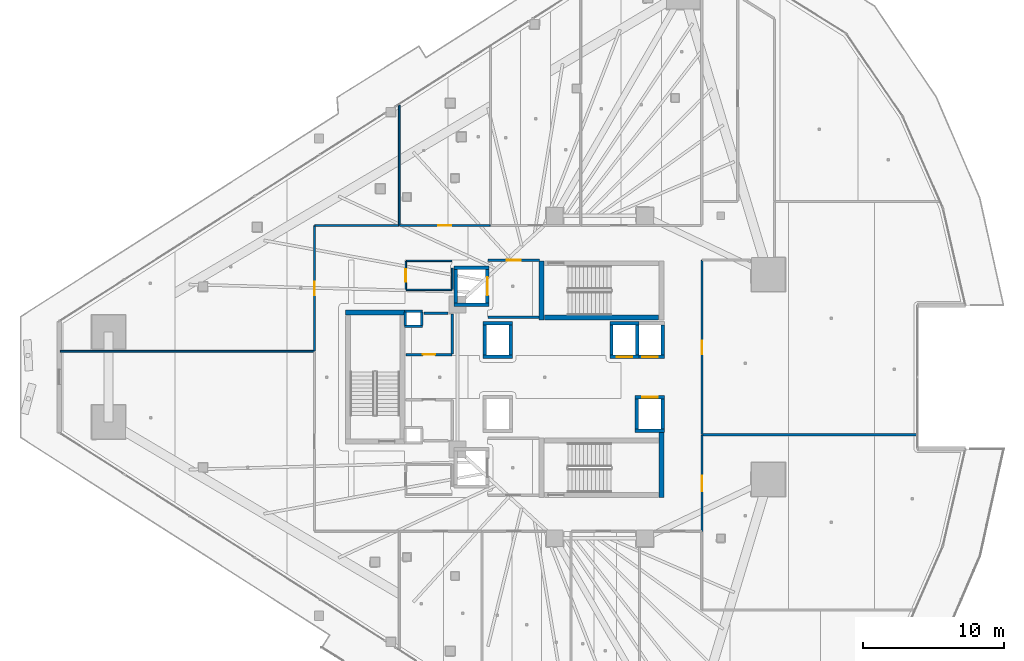
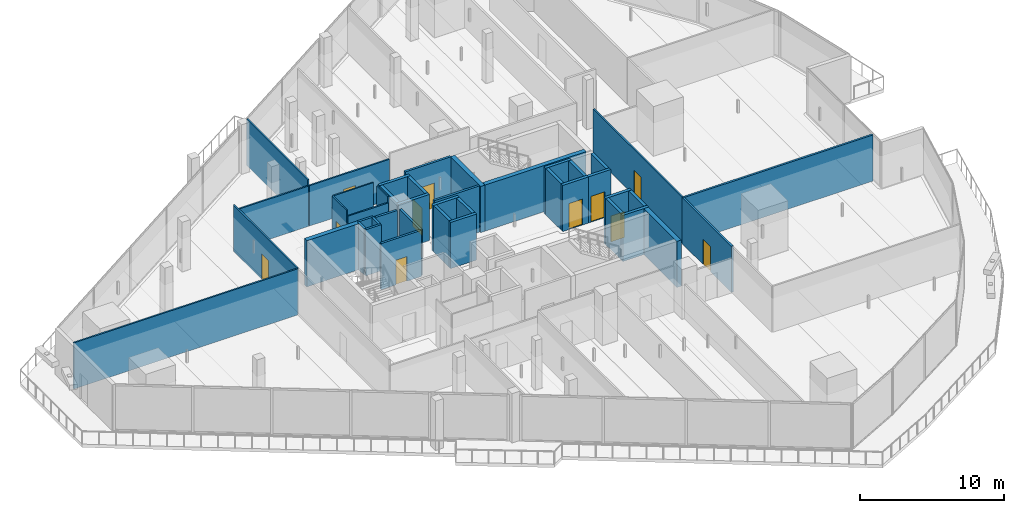
# One storey, part 30 of 45: 43 walls, 11 doors, 11 openings.
"""IFC4 building model written with IfcOpenShell, lengths in metres."""

import ifcopenshell
import ifcopenshell.guid

model = None  # the IFC model being written
_history = None  # IfcOwnerHistory: only IFC2X3 demands one
_inside = {}  # id of a spatial element -> (the spatial element, [elements in it])
_under = {}  # id of a project, library or spatial element -> (it, [spatial elements below it])
_declared = {}  # id of a project -> (the project, [libraries it declares])
_typed = {}  # id of a type object -> (the type object, [elements of that type])
_made_of = {}  # id of a material, layer set ... -> (it, [elements and type objects made of it])


def new_model(schema):
    """Start an empty IFC model of exactly this schema.

    Asked for "IFC4X3", IfcOpenShell would pick the latest addendum, in which some entities
    have other attributes; the version numbers below select the first issue.
    IFC2X3 requires an IfcOwnerHistory on every rooted entity: one is made here for all.
    """
    global model, _history
    if schema == "IFC4X3":
        model = ifcopenshell.file(schema_version=(4, 3, 0, 0))
    else:
        model = ifcopenshell.file(schema=schema)
    _inside.clear()
    _under.clear()
    _declared.clear()
    _typed.clear()
    _made_of.clear()
    _history = None
    if model.schema == "IFC2X3":
        org = make("IfcOrganization", Name="unknown")
        user = make(
            "IfcPersonAndOrganization",
            ThePerson=make("IfcPerson", FamilyName="unknown"),
            TheOrganization=org,
        )
        app = make(
            "IfcApplication",
            ApplicationDeveloper=org,
            Version="unknown",
            ApplicationFullName="unknown",
            ApplicationIdentifier="unknown",
        )
        _history = make(
            "IfcOwnerHistory",
            OwningUser=user,
            OwningApplication=app,
            ChangeAction="ADDED",
            CreationDate=0,
        )
    return model


def make(cls, **values):
    """One entity of the class cls with the attributes given. An attribute that is None is left unset."""
    return model.create_entity(
        cls, **{name: value for name, value in values.items() if value is not None}
    )


def rooted(cls, **values):
    """An entity with a GlobalId (a new one), such as an element, a storey or a relation."""
    return make(cls, GlobalId=ifcopenshell.guid.new(), OwnerHistory=_history, **values)


def si_unit(unit_type, name, prefix=None):
    """IfcSIUnit, for example si_unit("LENGTHUNIT", "METRE", prefix="MILLI")."""
    return make("IfcSIUnit", UnitType=unit_type, Prefix=prefix, Name=name)


def assignment(units):
    """IfcUnitAssignment: the units of a project."""
    return None if units is None else make("IfcUnitAssignment", Units=units)


def point(xyz):
    """IfcCartesianPoint."""
    return None if xyz is None else make("IfcCartesianPoint", Coordinates=xyz)


def direction(xyz):
    """IfcDirection."""
    return None if xyz is None else make("IfcDirection", DirectionRatios=xyz)


def frame(location, z_axis=None, x_axis=None):
    """IfcAxis2Placement3D, a coordinate frame: its origin and axes. An axis left out is left unset."""
    return make(
        "IfcAxis2Placement3D",
        Location=point(location),
        Axis=direction(z_axis),
        RefDirection=direction(x_axis),
    )


def frame_2d(location, x_axis=None):
    """IfcAxis2Placement2D, a coordinate frame in the plane: its origin and x axis."""
    return make(
        "IfcAxis2Placement2D", Location=point(location), RefDirection=direction(x_axis)
    )


def origin():
    """The frame at (0, 0, 0) with its axes left unset."""
    return frame((0.0, 0.0, 0.0))


def place(relative_to, where):
    """IfcLocalPlacement: puts the frame where relative to a parent placement (None: the world)."""
    return make(
        "IfcLocalPlacement", PlacementRelTo=relative_to, RelativePlacement=where
    )


def context(
    kind, dimensions, precision=None, world=None, true_north=None, identifier=None
):
    """IfcGeometricRepresentationContext, for example the 3D "Model" context."""
    return make(
        "IfcGeometricRepresentationContext",
        ContextIdentifier=identifier,
        ContextType=kind,
        CoordinateSpaceDimension=dimensions,
        Precision=precision,
        WorldCoordinateSystem=world,
        TrueNorth=true_north,
    )


def subcontext(parent, identifier, kind, view, scale=None):
    """IfcGeometricRepresentationSubContext, for example "Body" below "Model"."""
    return make(
        "IfcGeometricRepresentationSubContext",
        ContextIdentifier=identifier,
        ContextType=kind,
        ParentContext=parent,
        TargetScale=scale,
        TargetView=view,
    )


def project(units=None, contexts=None):
    """IfcProject with its units and contexts."""
    return rooted(
        "IfcProject",
        Name="project",
        RepresentationContexts=contexts,
        UnitsInContext=assignment(units),
    )


def spatial(cls, under=None, at=None, **own):
    """A site, building, storey or space (cls), placed at a placement, below another one or the project."""
    s = rooted(cls, ObjectPlacement=at, **own)
    if under is not None:
        _under.setdefault(under.id(), (under, []))[1].append(s)
    return s


def profile(cls, at=None, kind="AREA", **sizes):
    """A parametric profile (cls). Its sizes go by their IFC names, for example OverallWidth=200.0."""
    return make(cls, ProfileType=kind, Position=at, **sizes)


def rectangle(**sizes):
    """IfcRectangleProfileDef."""
    return profile("IfcRectangleProfileDef", **sizes)


def extrude(swept, where, along, depth):
    """IfcExtrudedAreaSolid: the profile swept, set in the frame where, extruded along a direction by depth."""
    return make(
        "IfcExtrudedAreaSolid",
        SweptArea=swept,
        Position=where,
        ExtrudedDirection=direction(along),
        Depth=depth,
    )


def shape(context_of_items, identifier, shape_type, items):
    """IfcShapeRepresentation: the items that make up one representation, for example the "Body"."""
    return make(
        "IfcShapeRepresentation",
        ContextOfItems=context_of_items,
        RepresentationIdentifier=identifier,
        RepresentationType=shape_type,
        Items=items,
    )


def material(Name=None, Category=None):
    """IfcMaterial."""
    return make("IfcMaterial", Name=Name, Category=Category)


def layer(
    of_material, thickness, ventilated=None, Name=None, Category=None, Priority=None
):
    """IfcMaterialLayer: one layer of a wall or slab, of a material (None: an air gap)."""
    return make(
        "IfcMaterialLayer",
        Material=of_material,
        LayerThickness=thickness,
        IsVentilated=ventilated,
        Name=Name,
        Category=Category,
        Priority=Priority,
    )


def layer_set(layers, Name=None):
    """IfcMaterialLayerSet."""
    return make("IfcMaterialLayerSet", MaterialLayers=layers, LayerSetName=Name)


def made_of(thing, what):
    """Note that an element or type object is made of a material, layer set ...; save() writes the relation."""
    if what is not None:
        _made_of.setdefault(what.id(), (what, []))[1].append(thing)
    return thing


def type_object(cls, material=None, **own):
    """A type object (cls), such as IfcWallType, which elements share."""
    return made_of(rooted(cls, **own), material)


def element(
    cls,
    number,
    at=None,
    inside=None,
    cuts=None,
    type_object=None,
    material=None,
    context=None,
    identifier="Body",
    shape_type=None,
    held_by="IfcProductDefinitionShape",
    body=None,
    shapes=None,
    **own,
):
    """One element of the class cls, such as IfcWall. Its Tag is "e" and its number.

    at: its placement. inside: the storey or other place that contains it. cuts: it is an
    opening in that element (IfcRelVoidsElement). A single representation is given by context,
    identifier, shape_type and body (its items); several are given by shapes. held_by: the class
    of the entity that holds the representations. save() writes the other relations.
    """
    e = rooted(cls, Tag="e%d" % number, ObjectPlacement=at, **own)
    if body is not None:
        shapes = [shape(context, identifier, shape_type, body)]
    if shapes is not None:
        e.Representation = make(held_by, Representations=shapes)
    if inside is not None:
        _inside.setdefault(inside.id(), (inside, []))[1].append(e)
    if cuts is not None:
        rooted(
            "IfcRelVoidsElement", RelatingBuildingElement=cuts, RelatedOpeningElement=e
        )
    if type_object is not None:
        _typed.setdefault(type_object.id(), (type_object, []))[1].append(e)
    return made_of(e, material)


def fill(opening, filler):
    """IfcRelFillsElement: the door or window that sits in an opening."""
    return rooted(
        "IfcRelFillsElement",
        RelatingOpeningElement=opening,
        RelatedBuildingElement=filler,
    )


def aggregate(whole, parts):
    """IfcRelAggregates: a whole, such as a stair, and the parts it consists of."""
    return rooted("IfcRelAggregates", RelatingObject=whole, RelatedObjects=parts)


def save(model, path):
    """Write the relations noted so far, then the file.

    IfcRelAggregates (storeys below a building ...), IfcRelContainedInSpatialStructure (elements
    in a storey), IfcRelDefinesByType, IfcRelAssociatesMaterial and IfcRelDeclares: one each for
    every whole, place, type object, material and project.
    """
    for whole, parts in _under.values():
        aggregate(whole, parts)
    for where, things in _inside.values():
        rooted(
            "IfcRelContainedInSpatialStructure",
            RelatedElements=things,
            RelatingStructure=where,
        )
    for kind, things in _typed.values():
        rooted("IfcRelDefinesByType", RelatedObjects=things, RelatingType=kind)
    for what, things in _made_of.values():
        rooted("IfcRelAssociatesMaterial", RelatedObjects=things, RelatingMaterial=what)
    for by, libraries in _declared.values():
        rooted("IfcRelDeclares", RelatingContext=by, RelatedDefinitions=libraries)
    model.write(path)


model = new_model("IFC4")

# Units and contexts
model_context = context("Model", 3, precision=1e-05, world=origin(), true_north=direction((0.0, 1.0)))
body_context = subcontext(model_context, "Body", "Model", "MODEL_VIEW")
ifc_project = project(units=[si_unit("LENGTHUNIT", "METRE"), si_unit("AREAUNIT", "SQUARE_METRE"), si_unit("VOLUMEUNIT", "CUBIC_METRE"), si_unit("PLANEANGLEUNIT", "RADIAN"), si_unit("MASSUNIT", "GRAM", prefix="KILO")], contexts=[model_context])

# Site, building, storey
site_placement = place(None, origin())
site = spatial("IfcSite", under=ifc_project, at=site_placement, CompositionType="ELEMENT")
building_placement = place(site_placement, origin())
building = spatial("IfcBuilding", under=site, at=building_placement, Name="Qorvath Tower", CompositionType="ELEMENT")
storey_placement = place(building_placement, frame((0.0, 0.0, 91.199951171875)))
storey = spatial("IfcBuildingStorey", under=building, at=storey_placement, Name="L20", CompositionType="ELEMENT", Elevation=91.199951171875)

# Walls
ifc_material_1 = material(Name="Gypsum shaftliner on steel studs", Category="steel")
ifc_layer_1 = layer(ifc_material_1, 0.179931640625)
ifc_layer_set_1 = layer_set([ifc_layer_1], Name="FW-LOBBY")
wall_type_1 = type_object("IfcWallType", Name="FW-LOBBY", PredefinedType="PARTITIONING", material=ifc_layer_set_1)
for number, where, z_axis, x_axis, name in (
    (1, (-32.989990234375, 3.594970703125, 0.0), (0.0, 0.0, 1.0), (-1.0, 0.0, 0.0), "MEP Riser Shaft Enclosure Wall N-L20-S"),
    (2, (-34.260009765625, 4.675048828125, 0.0), (0.0, 0.0, 1.0), (1.0, 0.0, 0.0), "MEP Riser Shaft Enclosure Wall N-L20-N"),
):
    element("IfcWall", number, at=place(storey_placement, frame(where, z_axis=z_axis, x_axis=x_axis)), inside=storey, type_object=wall_type_1, Name=name, PredefinedType="PARTITIONING", context=body_context, shape_type="SweptSolid", body=[
        extrude(rectangle(XDim=1.27001953125, YDim=0.179931640625, at=frame_2d((0.635009765625, 0.0))), origin(), (0.0, 0.0, 1.0), 3.920166015625),
    ])
for number, where, z_axis, x_axis, name in (
    (3, (-34.205078125, 3.659912109375, 0.0), (0.0, 0.0, 1.0), (0.0, 1.0, 0.0), "MEP Riser Shaft Enclosure Wall N-L20-W"),
    (4, (-33.044921875, 4.610107421875, 0.0), (0.0, 0.0, 1.0), (0.0, -1.0, 0.0), "MEP Riser Shaft Enclosure Wall N-L20-E"),
):
    element("IfcWall", number, at=place(storey_placement, frame(where, z_axis=z_axis, x_axis=x_axis)), inside=storey, type_object=wall_type_1, Name=name, PredefinedType="PARTITIONING", context=body_context, shape_type="SweptSolid", body=[
        extrude(rectangle(XDim=0.9501953125, YDim=0.179931640625, at=frame_2d((0.47509765625, 0.0))), origin(), (0.0, 0.0, 1.0), 3.920166015625),
    ])
wall_1_placement = place(storey_placement, frame((-28.35498046875, 4.25, 0.0), z_axis=(0.0, 0.0, 1.0), x_axis=(1.0, 0.0, 0.0)))
element("IfcWall", 5, at=wall_1_placement, inside=storey, type_object=wall_type_1, Name="Interior Partition IW-T1-L20-001", PredefinedType="PARTITIONING", context=body_context, shape_type="SweptSolid", body=[
    extrude(rectangle(XDim=3.6220703125, YDim=0.179931640625, at=frame_2d((1.81103515625, 0.0))), origin(), (0.0, 0.0, 1.0), 3.920166015625),
])

# Wall, opening, door
wall_2_placement = place(storey_placement, frame((-24.68408203125, 8.300048828125, 0.0), z_axis=(0.0, 0.0, 1.0), x_axis=(-1.0, 0.0, 0.0)))
wall_2 = element("IfcWall", 6, at=wall_2_placement, inside=storey, type_object=wall_type_1, Name="Interior Partition IW-T1-L20-002", PredefinedType="PARTITIONING", context=body_context, shape_type="SweptSolid", body=[
    extrude(rectangle(XDim=3.6708984375, YDim=0.179931640625, at=frame_2d((1.83544921875, 0.0))), origin(), (0.0, 0.0, 1.0), 3.920166015625),
])
opening_1_placement = place(wall_2_placement, frame((1.33544921875, 0.0, 0.0)))
opening_1 = element("IfcOpeningElement", 7, at=opening_1_placement, cuts=wall_2, Name="Opening D-T1-L20-17", PredefinedType="OPENING", context=body_context, shape_type="SweptSolid", body=[
    extrude(rectangle(XDim=1.0, YDim=2.14990234375, at=frame_2d((0.5, 1.074951171875))), frame((0.0, 0.10009765625, 0.0), z_axis=(0.0, -1.0, 0.0), x_axis=(1.0, 0.0, 0.0)), (0.0, 0.0, 1.0), 0.199951171875),
])
ifc_material_2 = material(Name="Painted galvanised hollow metal", Category="steel")
door_type_1 = type_object("IfcDoorType", Name="FD-60", OperationType="NOTDEFINED", PredefinedType="DOOR", material=ifc_material_2)
door_1_placement = place(opening_1_placement, origin())
door_1 = element("IfcDoor", 8, at=door_1_placement, inside=storey, type_object=door_type_1, Name="Lobby Fire Service Elevator North Door D-T1-L20-17", OperationType="SINGLE_SWING_RIGHT", OverallHeight=2.14990234375, OverallWidth=1.0, PredefinedType="DOOR", context=body_context, shape_type="SweptSolid", body=[
    extrude(rectangle(XDim=1.0, YDim=2.14990234375, at=frame_2d((0.5, 1.074951171875))), frame((0.0, 0.02490234375, 0.0), z_axis=(0.0, -1.0, 0.0), x_axis=(1.0, 0.0, 0.0)), (0.0, 0.0, 1.0), 0.050048828125),
])
fill(opening_1, door_1)

wall_3_placement = place(storey_placement, frame((-34.15478515625, 1.60009765625, 0.0), z_axis=(0.0, 0.0, 1.0), x_axis=(1.0, 0.0, 0.0)))
wall_3 = element("IfcWall", 9, at=wall_3_placement, inside=storey, type_object=wall_type_1, Name="Interior Partition IW-T1-L20-013", PredefinedType="PARTITIONING", context=body_context, shape_type="SweptSolid", body=[
    extrude(rectangle(XDim=3.25, YDim=0.179931640625, at=frame_2d((1.625, 0.0))), origin(), (0.0, 0.0, 1.0), 3.920166015625),
])
opening_2_placement = place(wall_3_placement, frame((1.18505859375, 0.0, 0.0)))
opening_2 = element("IfcOpeningElement", 10, at=opening_2_placement, cuts=wall_3, Name="Opening D-T1-L20-03", PredefinedType="OPENING", context=body_context, shape_type="SweptSolid", body=[
    extrude(rectangle(XDim=0.8798828125, YDim=2.10009765625, at=frame_2d((0.43994140625, 1.050048828125))), frame((0.0, 0.10009765625, 0.0), z_axis=(0.0, -1.0, 0.0), x_axis=(1.0, 0.0, 0.0)), (0.0, 0.0, 1.0), 0.199951171875),
])
ifc_material_3 = material(Name="Painted galvanised hollow metal", Category="steel")
door_type_2 = type_object("IfcDoorType", Name="FD-60N", OperationType="NOTDEFINED", PredefinedType="DOOR", material=ifc_material_3)
door_2_placement = place(opening_2_placement, origin())
door_2 = element("IfcDoor", 11, at=door_2_placement, inside=storey, type_object=door_type_2, Name="Core telecom and comms room L20 Door D-T1-L20-03", OperationType="SINGLE_SWING_RIGHT", OverallHeight=2.10009765625, OverallWidth=0.8798828125, PredefinedType="DOOR", context=body_context, shape_type="SweptSolid", body=[
    extrude(rectangle(XDim=0.8798828125, YDim=2.10009765625, at=frame_2d((0.43994140625, 1.050048828125))), frame((0.0, 0.02490234375, 0.0), z_axis=(0.0, -1.0, 0.0), x_axis=(1.0, 0.0, 0.0)), (0.0, 0.0, 1.0), 0.050048828125),
])
fill(opening_2, door_2)

# Walls
wall_4_placement = place(storey_placement, frame((-30.8798828125, 1.625, 0.0), z_axis=(0.0, 0.0, 1.0), x_axis=(0.0, 1.0, 0.0)))
element("IfcWall", 12, at=wall_4_placement, inside=storey, type_object=wall_type_1, Name="Interior Partition IW-T1-L20-014", PredefinedType="PARTITIONING", context=body_context, shape_type="SweptSolid", body=[
    extrude(rectangle(XDim=2.860107421875, YDim=0.179931640625, at=frame_2d((1.43017578125, 0.0))), origin(), (0.0, 0.0, 1.0), 3.920166015625),
])
wall_5_placement = place(storey_placement, frame((-31.1650390625, 4.5224609375, 0.0), z_axis=(0.0, 0.0, 1.0), x_axis=(-0.9999584918, 0.009111239105, 0.0)))
element("IfcWall", 13, at=wall_5_placement, inside=storey, type_object=wall_type_1, Name="Interior Partition IW-T1-L20-015", PredefinedType="PARTITIONING", context=body_context, shape_type="SweptSolid", body=[
    extrude(rectangle(XDim=1.71484375, YDim=0.179931640625, at=frame_2d((0.857421875, 0.0))), origin(), (0.0, 0.0, 1.0), 3.920166015625),
])
ifc_material_4 = material(Name="Double acoustic gypsum board on steel studs", Category="steel")
ifc_layer_2 = layer(ifc_material_4, 0.159912109375)
ifc_layer_set_2 = layer_set([ifc_layer_2], Name="IW-ACOUSTIC-160")
wall_type_2 = type_object("IfcWallType", Name="IW-ACOUSTIC-160", PredefinedType="PARTITIONING", material=ifc_layer_set_2)
wall_6_placement = place(storey_placement, frame((2.09228515625, -4.102783203125, 0.0), z_axis=(0.0, 0.0, 1.0), x_axis=(-1.0, 0.0, 0.0)))
element("IfcWall", 14, at=wall_6_placement, inside=storey, type_object=wall_type_2, Name="Interior Partition IW-T1-L20-037", PredefinedType="PARTITIONING", context=body_context, shape_type="SweptSolid", body=[
    extrude(rectangle(XDim=15.20947265625, YDim=0.159912109375, at=frame_2d((7.604736328125, 0.0))), origin(), (0.0, 0.0, 1.0), 3.920166015625),
])

# Wall, opening, door
wall_7_placement = place(storey_placement, frame((-13.14208984375, -4.127685546875, 0.0), z_axis=(0.0, 0.0, 1.0), x_axis=(0.0, -1.0, 0.0)))
wall_7 = element("IfcWall", 15, at=wall_7_placement, inside=storey, type_object=wall_type_2, Name="Interior Partition IW-T1-L20-038", PredefinedType="PARTITIONING", context=body_context, shape_type="SweptSolid", body=[
    extrude(rectangle(XDim=6.830322265625, YDim=0.159912109375, at=frame_2d((3.4150390625, 0.0))), origin(), (0.0, 0.0, 1.0), 3.920166015625),
])
opening_3_placement = place(wall_7_placement, frame((2.865234375, 0.0, 0.0)))
opening_3 = element("IfcOpeningElement", 16, at=opening_3_placement, cuts=wall_7, Name="Opening D-T1-L20-12", PredefinedType="OPENING", context=body_context, shape_type="SweptSolid", body=[
    extrude(rectangle(XDim=1.10009765625, YDim=2.14990234375, at=frame_2d((0.550048828125, 1.074951171875))), frame((0.0, 0.08984375, 0.0), z_axis=(0.0, -1.0, 0.0), x_axis=(1.0, 0.0, 0.0)), (0.0, 0.0, 1.0), 0.179931640625),
])
ifc_material_5 = material(Name="Anodised aluminium acoustic framed glass", Category="aluminium")
door_type_3 = type_object("IfcDoorType", Name="D-03", OperationType="NOTDEFINED", PredefinedType="DOOR", material=ifc_material_5)
door_3_placement = place(opening_3_placement, origin())
door_3 = element("IfcDoor", 17, at=door_3_placement, inside=storey, type_object=door_type_3, Name="L20-08 Digital Visualization Suite Door D-T1-L20-12", OperationType="SINGLE_SWING_LEFT", OverallHeight=2.14990234375, OverallWidth=1.10009765625, PredefinedType="DOOR", context=body_context, shape_type="SweptSolid", body=[
    extrude(rectangle(XDim=1.10009765625, YDim=2.14990234375, at=frame_2d((0.550048828125, 1.074951171875))), frame((0.0, 0.02490234375, 0.0), z_axis=(0.0, -1.0, 0.0), x_axis=(1.0, 0.0, 0.0)), (0.0, 0.0, 1.0), 0.050048828125),
])
fill(opening_3, door_3)

ifc_material_6 = material(Name="Gypsum board on metal studs with mineral wool", Category="gypsum")
ifc_layer_3 = layer(ifc_material_6, 0.125)
ifc_layer_set_3 = layer_set([ifc_layer_3], Name="IW-PART-125")
wall_type_3 = type_object("IfcWallType", Name="IW-PART-125", PredefinedType="PARTITIONING", material=ifc_layer_set_3)
wall_8_placement = place(storey_placement, frame((-34.625, 10.758056640625, 0.0), z_axis=(0.0, 0.0, 1.0), x_axis=(1.0, 0.0, 0.0)))
wall_8 = element("IfcWall", 18, at=wall_8_placement, inside=storey, type_object=wall_type_3, Name="Interior Partition IW-T1-L20-019", PredefinedType="PARTITIONING", context=body_context, shape_type="SweptSolid", body=[
    extrude(rectangle(XDim=6.4296875, YDim=0.125, at=frame_2d((3.21484375, 0.0))), origin(), (0.0, 0.0, 1.0), 3.43310546875),
])
opening_4_placement = place(wall_8_placement, frame((2.73974609375, 0.0, 0.0)))
opening_4 = element("IfcOpeningElement", 19, at=opening_4_placement, cuts=wall_8, Name="Opening D-T1-L20-05", PredefinedType="OPENING", context=body_context, shape_type="SweptSolid", body=[
    extrude(rectangle(XDim=0.949951171875, YDim=2.14990234375, at=frame_2d((0.47509765625, 1.074951171875))), frame((0.0, 0.072509765625, 0.0), z_axis=(0.0, -1.0, 0.0), x_axis=(1.0, 0.0, 0.0)), (0.0, 0.0, 1.0), 0.14501953125),
])
ifc_material_7 = material(Name="Solid-core American white oak veneer", Category="wood")
door_type_4 = type_object("IfcDoorType", Name="D-01", OperationType="NOTDEFINED", PredefinedType="DOOR", material=ifc_material_7)
door_4_placement = place(opening_4_placement, origin())
door_4 = element("IfcDoor", 20, at=door_4_placement, inside=storey, type_object=door_type_4, Name="L20-01 Focus Collaboration Pod Door D-T1-L20-05", OperationType="SINGLE_SWING_RIGHT", OverallHeight=2.14990234375, OverallWidth=0.949951171875, PredefinedType="DOOR", context=body_context, shape_type="SweptSolid", body=[
    extrude(rectangle(XDim=0.949951171875, YDim=2.14990234375, at=frame_2d((0.47509765625, 1.074951171875))), frame((0.0, 0.02490234375, 0.0), z_axis=(0.0, -1.0, 0.0), x_axis=(1.0, 0.0, 0.0)), (0.0, 0.0, 1.0), 0.050048828125),
])
fill(opening_4, door_4)

# Wall
wall_9_placement = place(storey_placement, frame((-34.64990234375, 19.308349609375, 0.0), z_axis=(0.0, 0.0, 1.0), x_axis=(0.0, -1.0, 0.0)))
element("IfcWall", 21, at=wall_9_placement, inside=storey, type_object=wall_type_3, Name="Interior Partition IW-T1-L20-021", PredefinedType="PARTITIONING", context=body_context, shape_type="SweptSolid", body=[
    extrude(rectangle(XDim=8.525146484375, YDim=0.125, at=frame_2d((4.2626953125, 0.0))), origin(), (0.0, 0.0, 1.0), 3.920166015625),
])

# Wall, opening, door
wall_10_placement = place(storey_placement, frame((-13.14208984375, 8.287109375, 0.0), z_axis=(0.0, 0.0, 1.0), x_axis=(0.0, -1.0, 0.0)))
wall_10 = element("IfcWall", 22, at=wall_10_placement, inside=storey, type_object=wall_type_3, Name="Interior Partition IW-T1-L20-042", PredefinedType="PARTITIONING", context=body_context, shape_type="SweptSolid", body=[
    extrude(rectangle(XDim=12.357177734375, YDim=0.125, at=frame_2d((6.1787109375, 0.0))), origin(), (0.0, 0.0, 1.0), 3.920166015625),
])
opening_5_placement = place(wall_10_placement, frame((5.70361328125, 0.0, 0.0)))
opening_5 = element("IfcOpeningElement", 23, at=opening_5_placement, cuts=wall_10, Name="Opening D-T1-L20-13", PredefinedType="OPENING", context=body_context, shape_type="SweptSolid", body=[
    extrude(rectangle(XDim=0.949951171875, YDim=2.14990234375, at=frame_2d((0.47509765625, 1.074951171875))), frame((0.0, 0.072509765625, 0.0), z_axis=(0.0, -1.0, 0.0), x_axis=(1.0, 0.0, 0.0)), (0.0, 0.0, 1.0), 0.14501953125),
])
door_5_placement = place(opening_5_placement, origin())
door_5 = element("IfcDoor", 24, at=door_5_placement, inside=storey, type_object=door_type_4, Name="L20-09 Quantitative Research Studio Door D-T1-L20-13", OperationType="SINGLE_SWING_RIGHT", OverallHeight=2.14990234375, OverallWidth=0.949951171875, PredefinedType="DOOR", context=body_context, shape_type="SweptSolid", body=[
    extrude(rectangle(XDim=0.949951171875, YDim=2.14990234375, at=frame_2d((0.47509765625, 1.074951171875))), frame((0.0, 0.02490234375, 0.0), z_axis=(0.0, -1.0, 0.0), x_axis=(1.0, 0.0, 0.0)), (0.0, 0.0, 1.0), 0.050048828125),
])
fill(opening_5, door_5)

# Wall
wall_11_placement = place(storey_placement, frame((-40.68310546875, 1.83056640625, 0.0), z_axis=(0.0, 0.0, 1.0), x_axis=(-1.0, 0.0, 0.0)))
element("IfcWall", 25, at=wall_11_placement, inside=storey, type_object=wall_type_3, Name="Interior Partition IW-T1-L20-049", PredefinedType="PARTITIONING", context=body_context, shape_type="SweptSolid", body=[
    extrude(rectangle(XDim=18.030029296875, YDim=0.125, at=frame_2d((9.01513671875, 0.0))), origin(), (0.0, 0.0, 1.0), 3.920166015625),
])

# Wall, opening, door
wall_12_placement = place(storey_placement, frame((-40.657958984375, 1.863525390625, 0.0), z_axis=(0.0, 0.0, 1.0), x_axis=(0.0, 1.0, 0.0)))
wall_12 = element("IfcWall", 26, at=wall_12_placement, inside=storey, type_object=wall_type_3, Name="Interior Partition IW-T1-L20-050", PredefinedType="PARTITIONING", context=body_context, shape_type="SweptSolid", body=[
    extrude(rectangle(XDim=8.86962890625, YDim=0.125, at=frame_2d((4.434814453125, 0.0))), origin(), (0.0, 0.0, 1.0), 3.920166015625),
])
opening_6_placement = place(wall_12_placement, frame((3.9599609375, 0.0, 0.0)))
opening_6 = element("IfcOpeningElement", 27, at=opening_6_placement, cuts=wall_12, Name="Opening D-T1-L20-16", PredefinedType="OPENING", context=body_context, shape_type="SweptSolid", body=[
    extrude(rectangle(XDim=0.949951171875, YDim=2.14990234375, at=frame_2d((0.47509765625, 1.074951171875))), frame((0.0, 0.072509765625, 0.0), z_axis=(0.0, -1.0, 0.0), x_axis=(1.0, 0.0, 0.0)), (0.0, 0.0, 1.0), 0.14501953125),
])
door_6_placement = place(opening_6_placement, origin())
door_6 = element("IfcDoor", 28, at=door_6_placement, inside=storey, type_object=door_type_4, Name="L20-12 Open Workplace Studio Door D-T1-L20-16", OperationType="SINGLE_SWING_LEFT", OverallHeight=2.14990234375, OverallWidth=0.949951171875, PredefinedType="DOOR", context=body_context, shape_type="SweptSolid", body=[
    extrude(rectangle(XDim=0.949951171875, YDim=2.14990234375, at=frame_2d((0.47509765625, 1.074951171875))), frame((0.0, 0.02490234375, 0.0), z_axis=(0.0, -1.0, 0.0), x_axis=(1.0, 0.0, 0.0)), (0.0, 0.0, 1.0), 0.050048828125),
])
fill(opening_6, door_6)

# Wall
wall_13_placement = place(storey_placement, frame((-34.68310546875, 10.758056640625, 0.0), z_axis=(0.0, 0.0, 1.0), x_axis=(-1.0, 0.0, 0.0)))
element("IfcWall", 29, at=wall_13_placement, inside=storey, type_object=wall_type_3, Name="Interior Partition IW-T1-L20-051", PredefinedType="PARTITIONING", context=body_context, shape_type="SweptSolid", body=[
    extrude(rectangle(XDim=5.949951171875, YDim=0.125, at=frame_2d((2.97509765625, 0.0))), origin(), (0.0, 0.0, 1.0), 3.43310546875),
])

# Wall, opening, door
ifc_material_8 = material(Name="Moisture-resistant cement board on metal studs", Category="gypsum")
ifc_layer_4 = layer(ifc_material_8, 0.110107421875)
ifc_layer_set_4 = layer_set([ifc_layer_4], Name="IW-WC-110")
wall_type_4 = type_object("IfcWallType", Name="IW-WC-110", PredefinedType="PARTITIONING", material=ifc_layer_set_4)
wall_14_placement = place(storey_placement, frame((-34.179931640625, 8.22509765625, 0.0), z_axis=(0.0, 0.0, 1.0), x_axis=(0.0, -1.0, 0.0)))
wall_14 = element("IfcWall", 30, at=wall_14_placement, inside=storey, type_object=wall_type_4, Name="Interior Partition IW-T1-L20-005", PredefinedType="PARTITIONING", context=body_context, shape_type="SweptSolid", body=[
    extrude(rectangle(XDim=2.0, YDim=0.110107421875, at=frame_2d((1.0, 0.0))), origin(), (0.0, 0.0, 1.0), 3.920166015625),
])
opening_7_placement = place(wall_14_placement, frame((0.56005859375, 0.0, 0.0)))
opening_7 = element("IfcOpeningElement", 31, at=opening_7_placement, cuts=wall_14, Name="Opening D-T1-L20-01", PredefinedType="OPENING", context=body_context, shape_type="SweptSolid", body=[
    extrude(rectangle(XDim=0.8798828125, YDim=2.10009765625, at=frame_2d((0.43994140625, 1.050048828125))), frame((0.0, 0.06494140625, 0.0), z_axis=(0.0, -1.0, 0.0), x_axis=(1.0, 0.0, 0.0)), (0.0, 0.0, 1.0), 0.130126953125),
])
ifc_material_9 = material(Name="Solid-core oak with acoustic drop seal", Category="wood")
door_type_5 = type_object("IfcDoorType", Name="D-02", OperationType="NOTDEFINED", PredefinedType="DOOR", material=ifc_material_9)
door_7_placement = place(opening_7_placement, origin())
door_7 = element("IfcDoor", 32, at=door_7_placement, inside=storey, type_object=door_type_5, Name="WC All-Gender North L20 Door D-T1-L20-01", OperationType="SINGLE_SWING_RIGHT", OverallHeight=2.10009765625, OverallWidth=0.8798828125, PredefinedType="DOOR", context=body_context, shape_type="SweptSolid", body=[
    extrude(rectangle(XDim=0.8798828125, YDim=2.10009765625, at=frame_2d((0.43994140625, 1.050048828125))), frame((0.0, 0.02490234375, 0.0), z_axis=(0.0, -1.0, 0.0), x_axis=(1.0, 0.0, 0.0)), (0.0, 0.0, 1.0), 0.050048828125),
])
fill(opening_7, door_7)

# Walls
wall_15_placement = place(storey_placement, frame((-34.15478515625, 6.199951171875, 0.0), z_axis=(0.0, 0.0, 1.0), x_axis=(1.0, 0.0, 0.0)))
element("IfcWall", 33, at=wall_15_placement, inside=storey, type_object=wall_type_4, Name="Interior Partition IW-T1-L20-006", PredefinedType="PARTITIONING", context=body_context, shape_type="SweptSolid", body=[
    extrude(rectangle(XDim=3.25, YDim=0.110107421875, at=frame_2d((1.625, 0.0))), origin(), (0.0, 0.0, 1.0), 3.43310546875),
])
wall_16_placement = place(storey_placement, frame((-30.8798828125, 6.22509765625, 0.0), z_axis=(0.0, 0.0, 1.0), x_axis=(0.0, 1.0, 0.0)))
element("IfcWall", 34, at=wall_16_placement, inside=storey, type_object=wall_type_4, Name="Interior Partition IW-T1-L20-007", PredefinedType="PARTITIONING", context=body_context, shape_type="SweptSolid", body=[
    extrude(rectangle(XDim=1.517822265625, YDim=0.110107421875, at=frame_2d((0.7587890625, 0.0))), origin(), (0.0, 0.0, 1.0), 3.920166015625),
])
wall_17_placement = place(storey_placement, frame((-30.90478515625, 8.25, 0.0), z_axis=(0.0, 0.0, 1.0), x_axis=(-1.0, 0.0, 0.0)))
element("IfcWall", 35, at=wall_17_placement, inside=storey, type_object=wall_type_4, Name="Interior Partition IW-T1-L20-008", PredefinedType="PARTITIONING", context=body_context, shape_type="SweptSolid", body=[
    extrude(rectangle(XDim=3.25, YDim=0.110107421875, at=frame_2d((1.625, 0.0))), origin(), (0.0, 0.0, 1.0), 3.920166015625),
])
ifc_material_10 = material(Name="Concrete C60/75", Category="concrete")
ifc_layer_5 = layer(ifc_material_10, 0.260009765625)
ifc_layer_set_5 = layer_set([ifc_layer_5], Name="SW-SHAFT")
wall_type_5 = type_object("IfcWallType", Name="SW-SHAFT", PredefinedType="SHEAR", material=ifc_layer_set_5)
for number, where, z_axis, x_axis, name in (
    (36, (-28.260009765625, 5.1298828125, 0.0), (0.0, 0.0, 1.0), (-1.0, 0.0, 0.0), "Hoistway Wall FSAE-1 L20 S"),
    (37, (-30.739990234375, 7.77001953125, 0.0), (0.0, 0.0, 1.0), (1.0, 0.0, 0.0), "Hoistway Wall FSAE-1 L20 N"),
):
    element("IfcWall", number, at=place(storey_placement, frame(where, z_axis=z_axis, x_axis=x_axis)), inside=storey, type_object=wall_type_5, Name=name, PredefinedType="SHEAR", context=body_context, shape_type="SweptSolid", body=[
        extrude(rectangle(XDim=2.47998046875, YDim=0.239990234375, at=frame_2d((1.239990234375, 0.0))), origin(), (0.0, 0.0, 1.0), 3.920166015625),
    ])
wall_18_placement = place(storey_placement, frame((-30.6201171875, 5.261962890625, 0.0), z_axis=(0.0, 0.0, 1.0), x_axis=(0.0, 1.0, 0.0)))
element("IfcWall", 38, at=wall_18_placement, inside=storey, type_object=wall_type_5, Name="Hoistway Wall FSAE-1 L20 W", PredefinedType="SHEAR", context=body_context, shape_type="SweptSolid", body=[
    extrude(rectangle(XDim=2.3759765625, YDim=0.239990234375, at=frame_2d((1.18798828125, 0.0))), origin(), (0.0, 0.0, 1.0), 3.920166015625),
])

# Wall, opening, door
wall_19_placement = place(storey_placement, frame((-28.3798828125, 7.637939453125, 0.0), z_axis=(0.0, 0.0, 1.0), x_axis=(0.0, -1.0, 0.0)))
wall_19 = element("IfcWall", 39, at=wall_19_placement, inside=storey, type_object=wall_type_5, Name="Hoistway Wall FSAE-1 L20 E", PredefinedType="SHEAR", context=body_context, shape_type="SweptSolid", body=[
    extrude(rectangle(XDim=2.3759765625, YDim=0.239990234375, at=frame_2d((1.18798828125, 0.0))), origin(), (0.0, 0.0, 1.0), 3.920166015625),
])
opening_8_placement = place(wall_19_placement, frame((0.537841796875, 0.0, 0.0)))
opening_8 = element("IfcOpeningElement", 40, at=opening_8_placement, cuts=wall_19, Name="Opening LD-FSAE-1-L20", PredefinedType="OPENING", context=body_context, shape_type="SweptSolid", body=[
    extrude(rectangle(XDim=1.300048828125, YDim=2.300048828125, at=frame_2d((0.64990234375, 1.14990234375))), frame((0.0, 0.1298828125, 0.0), z_axis=(0.0, -1.0, 0.0), x_axis=(1.0, 0.0, 0.0)), (0.0, 0.0, 1.0), 0.260009765625),
])
ifc_material_11 = material(Name="Brushed stainless steel AISI 316", Category="steel")
door_type_6 = type_object("IfcDoorType", Name="LD-02", OperationType="NOTDEFINED", PredefinedType="DOOR", material=ifc_material_11)
door_8_placement = place(opening_8_placement, origin())
door_8 = element("IfcDoor", 41, at=door_8_placement, inside=storey, type_object=door_type_6, Name="Elevator Landing Sliding Door LD-FSAE-1-L20", OperationType="DOUBLE_DOOR_SLIDING", OverallHeight=2.300048828125, OverallWidth=1.300048828125, PredefinedType="DOOR", context=body_context, shape_type="SweptSolid", body=[
    extrude(rectangle(XDim=1.300048828125, YDim=2.300048828125, at=frame_2d((0.64990234375, 1.14990234375))), frame((0.0, 0.02490234375, 0.0), z_axis=(0.0, -1.0, 0.0), x_axis=(1.0, 0.0, 0.0)), (0.0, 0.0, 1.0), 0.050048828125),
])
fill(opening_8, door_8)

# Walls
for number, where, z_axis, x_axis, name in (
    (42, (-26.610107421875, 1.429931640625, 0.0), (0.0, 0.0, 1.0), (-1.0, 0.0, 0.0), "Hoistway Wall PS-1 L20 S"),
    (43, (-28.68994140625, 3.820068359375, 0.0), (0.0, 0.0, 1.0), (1.0, 0.0, 0.0), "Hoistway Wall PS-1 L20 N"),
):
    element("IfcWall", number, at=place(storey_placement, frame(where, z_axis=z_axis, x_axis=x_axis)), inside=storey, type_object=wall_type_5, Name=name, PredefinedType="SHEAR", context=body_context, shape_type="SweptSolid", body=[
        extrude(rectangle(XDim=2.079833984375, YDim=0.239990234375, at=frame_2d((1.0400390625, 0.0))), origin(), (0.0, 0.0, 1.0), 3.920166015625),
    ])
for number, where, z_axis, x_axis, name in (
    (44, (-28.570068359375, 1.56201171875, 0.0), (0.0, 0.0, 1.0), (0.0, 1.0, 0.0), "Hoistway Wall PS-1 L20 W"),
    (45, (-26.72998046875, 3.68798828125, 0.0), (0.0, 0.0, 1.0), (0.0, -1.0, 0.0), "Hoistway Wall PS-1 L20 E"),
):
    element("IfcWall", number, at=place(storey_placement, frame(where, z_axis=z_axis, x_axis=x_axis)), inside=storey, type_object=wall_type_5, Name=name, PredefinedType="SHEAR", context=body_context, shape_type="SweptSolid", body=[
        extrude(rectangle(XDim=2.1259765625, YDim=0.239990234375, at=frame_2d((1.06298828125, 0.0))), origin(), (0.0, 0.0, 1.0), 3.920166015625),
    ])

# Wall, opening, door
wall_20_placement = place(storey_placement, frame((-17.610107421875, 1.429931640625, 0.0), z_axis=(0.0, 0.0, 1.0), x_axis=(-1.0, 0.0, 0.0)))
wall_20 = element("IfcWall", 46, at=wall_20_placement, inside=storey, type_object=wall_type_5, Name="Hoistway Wall PL-1 L20 S", PredefinedType="SHEAR", context=body_context, shape_type="SweptSolid", body=[
    extrude(rectangle(XDim=2.079833984375, YDim=0.239990234375, at=frame_2d((1.0400390625, 0.0))), origin(), (0.0, 0.0, 1.0), 3.920166015625),
])
opening_9_placement = place(wall_20_placement, frame((0.48974609375, 0.0, 0.0)))
opening_9 = element("IfcOpeningElement", 47, at=opening_9_placement, cuts=wall_20, Name="Opening LD-PL-1-L20", PredefinedType="OPENING", context=body_context, shape_type="SweptSolid", body=[
    extrude(rectangle(XDim=1.10009765625, YDim=2.199951171875, at=frame_2d((0.550048828125, 1.10009765625))), frame((0.0, 0.1298828125, 0.0), z_axis=(0.0, -1.0, 0.0), x_axis=(1.0, 0.0, 0.0)), (0.0, 0.0, 1.0), 0.260009765625),
])
ifc_material_12 = material(Name="Brushed stainless steel AISI 316", Category="steel")
door_type_7 = type_object("IfcDoorType", Name="LD-01", OperationType="NOTDEFINED", PredefinedType="DOOR", material=ifc_material_12)
door_9_placement = place(opening_9_placement, origin())
door_9 = element("IfcDoor", 48, at=door_9_placement, inside=storey, type_object=door_type_7, Name="Elevator Landing Sliding Door LD-PL-1-L20", OperationType="DOUBLE_DOOR_SLIDING", OverallHeight=2.199951171875, OverallWidth=1.10009765625, PredefinedType="DOOR", context=body_context, shape_type="SweptSolid", body=[
    extrude(rectangle(XDim=1.10009765625, YDim=2.199951171875, at=frame_2d((0.550048828125, 1.10009765625))), frame((0.0, 0.02490234375, 0.0), z_axis=(0.0, -1.0, 0.0), x_axis=(1.0, 0.0, 0.0)), (0.0, 0.0, 1.0), 0.050048828125),
])
fill(opening_9, door_9)

# Walls
wall_21_placement = place(storey_placement, frame((-19.68994140625, 3.820068359375, 0.0), z_axis=(0.0, 0.0, 1.0), x_axis=(1.0, 0.0, 0.0)))
element("IfcWall", 49, at=wall_21_placement, inside=storey, type_object=wall_type_5, Name="Hoistway Wall PL-1 L20 N", PredefinedType="SHEAR", context=body_context, shape_type="SweptSolid", body=[
    extrude(rectangle(XDim=2.079833984375, YDim=0.239990234375, at=frame_2d((1.0400390625, 0.0))), origin(), (0.0, 0.0, 1.0), 3.920166015625),
])
for number, where, z_axis, x_axis, name in (
    (50, (-19.570068359375, 1.56201171875, 0.0), (0.0, 0.0, 1.0), (0.0, 1.0, 0.0), "Hoistway Wall PL-1 L20 W"),
    (51, (-17.72998046875, 3.68798828125, 0.0), (0.0, 0.0, 1.0), (0.0, -1.0, 0.0), "Hoistway Wall PL-1 L20 E"),
):
    element("IfcWall", number, at=place(storey_placement, frame(where, z_axis=z_axis, x_axis=x_axis)), inside=storey, type_object=wall_type_5, Name=name, PredefinedType="SHEAR", context=body_context, shape_type="SweptSolid", body=[
        extrude(rectangle(XDim=2.1259765625, YDim=0.239990234375, at=frame_2d((1.06298828125, 0.0))), origin(), (0.0, 0.0, 1.0), 3.920166015625),
    ])

# Wall, opening, door
wall_22_placement = place(storey_placement, frame((-15.81005859375, 1.429931640625, 0.0), z_axis=(0.0, 0.0, 1.0), x_axis=(-1.0, 0.0, 0.0)))
wall_22 = element("IfcWall", 52, at=wall_22_placement, inside=storey, type_object=wall_type_5, Name="Hoistway Wall PL-3 L20 S", PredefinedType="SHEAR", context=body_context, shape_type="SweptSolid", body=[
    extrude(rectangle(XDim=1.800048828125, YDim=0.239990234375, at=frame_2d((0.89990234375, 0.0))), origin(), (0.0, 0.0, 1.0), 3.920166015625),
])
opening_10_placement = place(wall_22_placement, frame((0.489990234375, 0.0, 0.0)))
opening_10 = element("IfcOpeningElement", 53, at=opening_10_placement, cuts=wall_22, Name="Opening LD-PL-3-L20", PredefinedType="OPENING", context=body_context, shape_type="SweptSolid", body=[
    extrude(rectangle(XDim=1.10009765625, YDim=2.199951171875, at=frame_2d((0.550048828125, 1.10009765625))), frame((0.0, 0.1298828125, 0.0), z_axis=(0.0, -1.0, 0.0), x_axis=(1.0, 0.0, 0.0)), (0.0, 0.0, 1.0), 0.260009765625),
])
door_10_placement = place(opening_10_placement, origin())
door_10 = element("IfcDoor", 54, at=door_10_placement, inside=storey, type_object=door_type_7, Name="Elevator Landing Sliding Door LD-PL-3-L20", OperationType="DOUBLE_DOOR_SLIDING", OverallHeight=2.199951171875, OverallWidth=1.10009765625, PredefinedType="DOOR", context=body_context, shape_type="SweptSolid", body=[
    extrude(rectangle(XDim=1.10009765625, YDim=2.199951171875, at=frame_2d((0.550048828125, 1.10009765625))), frame((0.0, 0.02490234375, 0.0), z_axis=(0.0, -1.0, 0.0), x_axis=(1.0, 0.0, 0.0)), (0.0, 0.0, 1.0), 0.050048828125),
])
fill(opening_10, door_10)

# Walls
wall_23_placement = place(storey_placement, frame((-15.929931640625, 3.68798828125, 0.0), z_axis=(0.0, 0.0, 1.0), x_axis=(0.0, -1.0, 0.0)))
element("IfcWall", 55, at=wall_23_placement, inside=storey, type_object=wall_type_5, Name="Hoistway Wall PL-3 L20 E", PredefinedType="SHEAR", context=body_context, shape_type="SweptSolid", body=[
    extrude(rectangle(XDim=2.1259765625, YDim=0.239990234375, at=frame_2d((1.06298828125, 0.0))), origin(), (0.0, 0.0, 1.0), 3.920166015625),
])
wall_24_placement = place(storey_placement, frame((-15.81005859375, -3.820068359375, 0.0), z_axis=(0.0, 0.0, 1.0), x_axis=(-1.0, 0.0, 0.0)))
element("IfcWall", 56, at=wall_24_placement, inside=storey, type_object=wall_type_5, Name="Hoistway Wall PL-2 L20 S", PredefinedType="SHEAR", context=body_context, shape_type="SweptSolid", body=[
    extrude(rectangle(XDim=2.079833984375, YDim=0.239990234375, at=frame_2d((1.0400390625, 0.0))), origin(), (0.0, 0.0, 1.0), 3.920166015625),
])

# Wall, opening, door
wall_25_placement = place(storey_placement, frame((-17.889892578125, -1.429931640625, 0.0), z_axis=(0.0, 0.0, 1.0), x_axis=(1.0, 0.0, 0.0)))
wall_25 = element("IfcWall", 57, at=wall_25_placement, inside=storey, type_object=wall_type_5, Name="Hoistway Wall PL-2 L20 N", PredefinedType="SHEAR", context=body_context, shape_type="SweptSolid", body=[
    extrude(rectangle(XDim=2.079833984375, YDim=0.239990234375, at=frame_2d((1.0400390625, 0.0))), origin(), (0.0, 0.0, 1.0), 3.920166015625),
])
opening_11_placement = place(wall_25_placement, frame((0.48974609375, 0.0, 0.0)))
opening_11 = element("IfcOpeningElement", 58, at=opening_11_placement, cuts=wall_25, Name="Opening LD-PL-2-L20", PredefinedType="OPENING", context=body_context, shape_type="SweptSolid", body=[
    extrude(rectangle(XDim=1.10009765625, YDim=2.199951171875, at=frame_2d((0.550048828125, 1.10009765625))), frame((0.0, 0.1298828125, 0.0), z_axis=(0.0, -1.0, 0.0), x_axis=(1.0, 0.0, 0.0)), (0.0, 0.0, 1.0), 0.260009765625),
])
door_11_placement = place(opening_11_placement, origin())
door_11 = element("IfcDoor", 59, at=door_11_placement, inside=storey, type_object=door_type_7, Name="Elevator Landing Sliding Door LD-PL-2-L20", OperationType="DOUBLE_DOOR_SLIDING", OverallHeight=2.199951171875, OverallWidth=1.10009765625, PredefinedType="DOOR", context=body_context, shape_type="SweptSolid", body=[
    extrude(rectangle(XDim=1.10009765625, YDim=2.199951171875, at=frame_2d((0.550048828125, 1.10009765625))), frame((0.0, 0.02490234375, 0.0), z_axis=(0.0, -1.0, 0.0), x_axis=(1.0, 0.0, 0.0)), (0.0, 0.0, 1.0), 0.050048828125),
])
fill(opening_11, door_11)

# Walls
for number, where, z_axis, x_axis, name in (
    (60, (-17.77001953125, -3.68798828125, 0.0), (0.0, 0.0, 1.0), (0.0, 1.0, 0.0), "Hoistway Wall PL-2 L20 W"),
    (61, (-15.929931640625, -1.56201171875, 0.0), (0.0, 0.0, 1.0), (0.0, -1.0, 0.0), "Hoistway Wall PL-2 L20 E"),
):
    element("IfcWall", number, at=place(storey_placement, frame(where, z_axis=z_axis, x_axis=x_axis)), inside=storey, type_object=wall_type_5, Name=name, PredefinedType="SHEAR", context=body_context, shape_type="SweptSolid", body=[
        extrude(rectangle(XDim=2.1259765625, YDim=0.239990234375, at=frame_2d((1.06298828125, 0.0))), origin(), (0.0, 0.0, 1.0), 3.920166015625),
    ])
ifc_material_13 = material(Name="Concrete C60/75", Category="concrete")
ifc_layer_6 = layer(ifc_material_13, 0.35009765625)
ifc_layer_set_6 = layer_set([ifc_layer_6], Name="SW-STAIR")
wall_type_6 = type_object("IfcWallType", Name="SW-STAIR", PredefinedType="SHEAR", material=ifc_layer_set_6)
wall_26_placement = place(storey_placement, frame((-24.52490234375, 8.260009765625, 0.0), z_axis=(0.0, 0.0, 1.0), x_axis=(0.0, -1.0, 0.0)))
element("IfcWall", 62, at=wall_26_placement, inside=storey, type_object=wall_type_6, Name="Stair TS1 Shear Wall L20 NEAR", PredefinedType="SHEAR", context=body_context, shape_type="SweptSolid", body=[
    extrude(rectangle(XDim=4.2099609375, YDim=0.35009765625, at=frame_2d((2.10498046875, 0.0))), origin(), (0.0, 0.0, 1.0), 3.920166015625),
])
wall_27_placement = place(storey_placement, frame((-24.3349609375, 4.22509765625, 0.0), z_axis=(0.0, 0.0, 1.0), x_axis=(1.0, 0.0, 0.0)))
element("IfcWall", 63, at=wall_27_placement, inside=storey, type_object=wall_type_6, Name="Stair TS1 Shear Wall L20 LEFT", PredefinedType="SHEAR", context=body_context, shape_type="SweptSolid", body=[
    extrude(rectangle(XDim=8.119873046875, YDim=0.35009765625, at=frame_2d((4.06005859375, 0.0))), origin(), (0.0, 0.0, 1.0), 3.920166015625),
])
wall_28_placement = place(storey_placement, frame((-16.02490234375, -8.550048828125, 0.0), z_axis=(0.0, 0.0, 1.0), x_axis=(0.0, 1.0, 0.0)))
element("IfcWall", 64, at=wall_28_placement, inside=storey, type_object=wall_type_6, Name="Stair TS2 Shear Wall L20 FAR", PredefinedType="SHEAR", context=body_context, shape_type="SweptSolid", body=[
    extrude(rectangle(XDim=4.610107421875, YDim=0.35009765625, at=frame_2d((2.30517578125, 0.0))), origin(), (0.0, 0.0, 1.0), 3.920166015625),
])
wall_29_placement = place(storey_placement, frame((-34.25, 4.574951171875, 0.0), z_axis=(0.0, 0.0, 1.0), x_axis=(-1.0, 0.0, 0.0)))
element("IfcWall", 65, at=wall_29_placement, inside=storey, type_object=wall_type_6, Name="Stair TS3 Shear Wall L20 FAR", PredefinedType="SHEAR", context=body_context, shape_type="SweptSolid", body=[
    extrude(rectangle(XDim=4.2099609375, YDim=0.35009765625, at=frame_2d((2.10498046875, 0.0))), origin(), (0.0, 0.0, 1.0), 3.920166015625),
])

save(model, "model.ifc")
